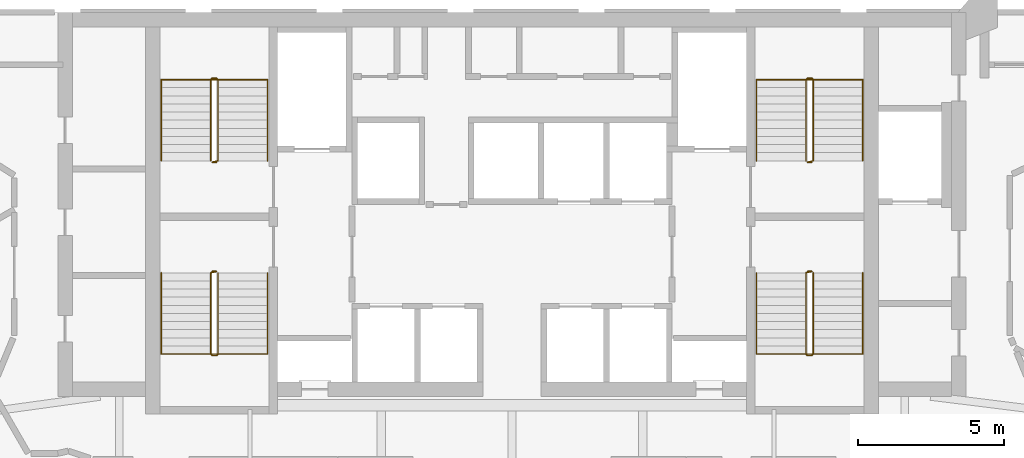
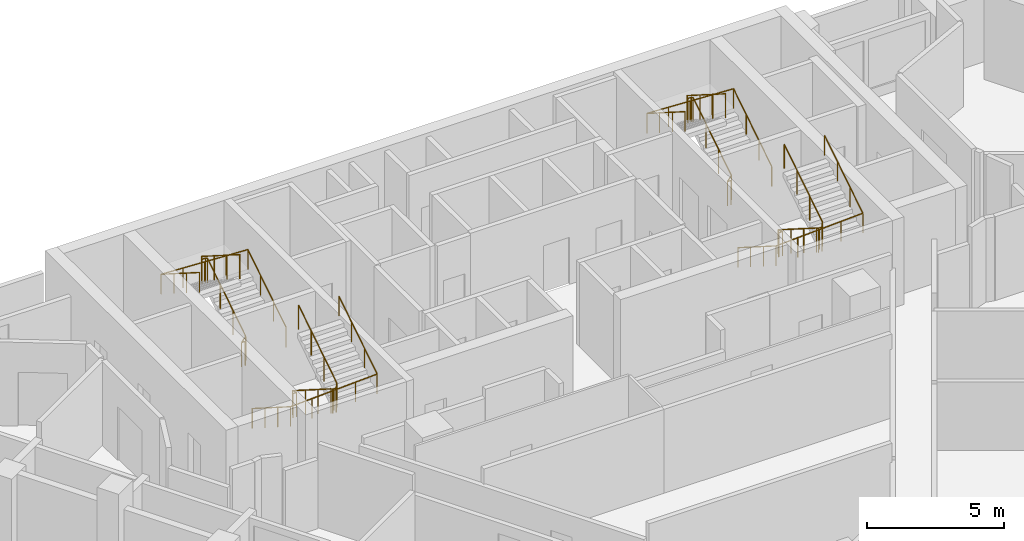
# One storey, part 9 of 9: 8 railings.
"""IFC4 building model written with IfcOpenShell, lengths in metres."""

from ifc_helpers import new_model, si_unit, direction, frame, origin, origin_2d, place, context, subcontext, project, spatial, circle, extrude, material, type_object, element, save


model = new_model("IFC4")

# Units and contexts
model_context = context("Model", 3, precision=1e-05, world=origin(), true_north=direction((0.0, 1.0)))
body_context = subcontext(model_context, "Body", "Model", "MODEL_VIEW")
ifc_project = project(units=[si_unit("LENGTHUNIT", "METRE"), si_unit("AREAUNIT", "SQUARE_METRE"), si_unit("VOLUMEUNIT", "CUBIC_METRE"), si_unit("PLANEANGLEUNIT", "RADIAN"), si_unit("MASSUNIT", "GRAM", prefix="KILO")], contexts=[model_context])

# Site, building, storey
site_placement = place(None, origin())
site = spatial("IfcSite", under=ifc_project, at=site_placement, CompositionType="ELEMENT")
building_placement = place(site_placement, origin())
building = spatial("IfcBuilding", under=site, at=building_placement, Name="Calabash Gate Tower", CompositionType="ELEMENT")
storey_placement = place(building_placement, frame((0.0, 0.0, 171.89990234375)))
storey = spatial("IfcBuildingStorey", under=building, at=storey_placement, Name="L40", CompositionType="ELEMENT", Elevation=171.89990234375)

# Railings
ifc_material_1 = material(Name="Black powder-coated steel balusters", Category="steel")
railing_type_1 = type_object("IfcRailingType", Name="Stair guard RL1100", PredefinedType="GUARDRAIL", material=ifc_material_1)
railing_1_placement = place(storey_placement, frame((-10.14990234375, 13.902587890625, 0.0)))
element("IfcRailing", 1, at=railing_1_placement, inside=storey, type_object=railing_type_1, Name="L40 ST1 stair guard 1", PredefinedType="GUARDRAIL", context=body_context, shape_type="SweptSolid", body=[
    extrude(circle(Radius=0.02392578125, at=origin_2d()), frame((0.0, 0.0, 1.076171875), z_axis=(-1.0, 0.0, 0.0), x_axis=(0.0, -1.0, 0.0)), (0.0, 0.0, 1.0), 0.150146484375),
    extrude(circle(Radius=0.02392578125, at=origin_2d()), frame((-0.150146484375, 0.0, 1.076171875), z_axis=(0.735094037398, 0.183997897029, 0.652519371414), x_axis=(-0.242814311512, 0.970072785993, 0.0)), (0.0, 0.0, 1.0), 0.27197265625),
    extrude(circle(Radius=0.02392578125, at=origin_2d()), frame((0.0498046875, 0.050048828125, 1.25341796875), z_axis=(0.0, 0.844041424197, 0.536277982245), x_axis=(-1.0, 0.0, 0.0)), (0.0, 0.0, 1.0), 3.3056640625),
    extrude(circle(Radius=0.02392578125, at=origin_2d()), frame((0.0498046875, 2.840087890625, 3.0263671875), z_axis=(-0.707106781187, 0.707106781187, 0.0), x_axis=(-0.707106781187, -0.707106781187, 0.0)), (0.0, 0.0, 1.0), 0.0703125),
    extrude(circle(Radius=0.02392578125, at=origin_2d()), frame((0.0, 2.889892578125, 3.0263671875), z_axis=(-1.0, 0.0, 0.0), x_axis=(0.0, -1.0, 0.0)), (0.0, 0.0, 1.0), 0.150146484375),
    extrude(circle(Radius=0.02392578125, at=origin_2d()), frame((-0.150146484375, 2.889892578125, 3.0263671875), z_axis=(-0.262321481514, -0.261041864531, 0.929001929653), x_axis=(0.705375805398, -0.708833529934, 0.0)), (0.0, 0.0, 1.0), 0.190673828125),
    extrude(circle(Radius=0.02392578125, at=origin_2d()), frame((-0.2001953125, 2.840087890625, 3.20361328125), z_axis=(0.0, -0.844041424197, 0.536277982245), x_axis=(1.0, 0.0, 0.0)), (0.0, 0.0, 1.0), 3.3056640625),
    extrude(circle(Radius=0.02099609375, at=origin_2d()), origin(), (0.0, 0.0, 1.0), 1.052001953125),
    extrude(circle(Radius=0.02099609375, at=origin_2d()), frame((-0.150146484375, 0.0, 0.0)), (0.0, 0.0, 1.0), 1.052001953125),
    extrude(circle(Radius=0.02099609375, at=origin_2d()), frame((0.0498046875, 0.050048828125, 0.177490234375)), (0.0, 0.0, 1.0), 1.052001953125),
    extrude(circle(Radius=0.02099609375, at=origin_2d()), frame((0.0498046875, 0.97998046875, 0.768310546875)), (0.0, 0.0, 1.0), 1.052001953125),
    extrude(circle(Radius=0.02099609375, at=origin_2d()), frame((0.0498046875, 1.91015625, 1.359375)), (0.0, 0.0, 1.0), 1.052001953125),
    extrude(circle(Radius=0.02099609375, at=origin_2d()), frame((0.0498046875, 2.840087890625, 1.9501953125)), (0.0, 0.0, 1.0), 1.052001953125),
    extrude(circle(Radius=0.02099609375, at=origin_2d()), frame((0.0, 2.889892578125, 1.9501953125)), (0.0, 0.0, 1.0), 1.052001953125),
    extrude(circle(Radius=0.02099609375, at=origin_2d()), frame((-0.150146484375, 2.889892578125, 1.9501953125)), (0.0, 0.0, 1.0), 1.052001953125),
    extrude(circle(Radius=0.02099609375, at=origin_2d()), frame((-0.2001953125, 2.840087890625, 2.12744140625)), (0.0, 0.0, 1.0), 1.052001953125),
    extrude(circle(Radius=0.02099609375, at=origin_2d()), frame((-0.2001953125, 1.91015625, 2.71826171875)), (0.0, 0.0, 1.0), 1.052001953125),
    extrude(circle(Radius=0.02099609375, at=origin_2d()), frame((-0.2001953125, 0.97998046875, 3.309326171875)), (0.0, 0.0, 1.0), 1.052001953125),
    extrude(circle(Radius=0.02099609375, at=origin_2d()), frame((-0.2001953125, 0.050048828125, 3.900146484375)), (0.0, 0.0, 1.0), 1.052001953125),
])
railing_2_placement = place(storey_placement, frame((-10.300048828125, 10.152587890625, 0.0)))
element("IfcRailing", 2, at=railing_2_placement, inside=storey, type_object=railing_type_1, Name="L40 ST2 stair guard 1", PredefinedType="GUARDRAIL", context=body_context, shape_type="SweptSolid", body=[
    extrude(circle(Radius=0.02392578125, at=origin_2d()), frame((0.0, 0.0, 1.076171875), z_axis=(1.0, 0.0, 0.0), x_axis=(0.0, 1.0, 0.0)), (0.0, 0.0, 1.0), 0.150146484375),
    extrude(circle(Radius=0.02392578125, at=origin_2d()), frame((0.150146484375, 0.0, 1.076171875), z_axis=(-0.735506176693, -0.183876544173, 0.652089012751), x_axis=(0.242535625036, -0.970142500145, 0.0)), (0.0, 0.0, 1.0), 0.272216796875),
    extrude(circle(Radius=0.02392578125, at=origin_2d()), frame((-0.050048828125, -0.050048828125, 1.25341796875), z_axis=(0.0, -0.844041424197, 0.536277982245), x_axis=(1.0, 0.0, 0.0)), (0.0, 0.0, 1.0), 3.3056640625),
    extrude(circle(Radius=0.02392578125, at=origin_2d()), frame((-0.050048828125, -2.840087890625, 3.0263671875), z_axis=(0.708833529934, -0.705375805398, 0.0), x_axis=(0.705375805398, 0.708833529934, 0.0)), (0.0, 0.0, 1.0), 0.070556640625),
    extrude(circle(Radius=0.02392578125, at=origin_2d()), frame((0.0, -2.889892578125, 3.0263671875), z_axis=(1.0, 0.0, 0.0), x_axis=(0.0, 1.0, 0.0)), (0.0, 0.0, 1.0), 0.150146484375),
    extrude(circle(Radius=0.02392578125, at=origin_2d()), frame((0.150146484375, -2.889892578125, 3.0263671875), z_axis=(0.261129318932, 0.261129318932, 0.929313164433), x_axis=(-0.707106781187, 0.707106781187, 0.0)), (0.0, 0.0, 1.0), 0.190673828125),
    extrude(circle(Radius=0.02392578125, at=origin_2d()), frame((0.199951171875, -2.840087890625, 3.20361328125), z_axis=(0.0, 0.844041424197, 0.536277982245), x_axis=(-1.0, 0.0, 0.0)), (0.0, 0.0, 1.0), 3.3056640625),
    extrude(circle(Radius=0.02099609375, at=origin_2d()), origin(), (0.0, 0.0, 1.0), 1.052001953125),
    extrude(circle(Radius=0.02099609375, at=origin_2d()), frame((0.150146484375, 0.0, 0.0)), (0.0, 0.0, 1.0), 1.052001953125),
    extrude(circle(Radius=0.02099609375, at=origin_2d()), frame((-0.050048828125, -0.050048828125, 0.177490234375)), (0.0, 0.0, 1.0), 1.052001953125),
    extrude(circle(Radius=0.02099609375, at=origin_2d()), frame((-0.050048828125, -0.97998046875, 0.768310546875)), (0.0, 0.0, 1.0), 1.052001953125),
    extrude(circle(Radius=0.02099609375, at=origin_2d()), frame((-0.050048828125, -1.91015625, 1.359375)), (0.0, 0.0, 1.0), 1.052001953125),
    extrude(circle(Radius=0.02099609375, at=origin_2d()), frame((-0.050048828125, -2.840087890625, 1.9501953125)), (0.0, 0.0, 1.0), 1.052001953125),
    extrude(circle(Radius=0.02099609375, at=origin_2d()), frame((0.0, -2.889892578125, 1.9501953125)), (0.0, 0.0, 1.0), 1.052001953125),
    extrude(circle(Radius=0.02099609375, at=origin_2d()), frame((0.150146484375, -2.889892578125, 1.9501953125)), (0.0, 0.0, 1.0), 1.052001953125),
    extrude(circle(Radius=0.02099609375, at=origin_2d()), frame((0.199951171875, -2.840087890625, 2.12744140625)), (0.0, 0.0, 1.0), 1.052001953125),
    extrude(circle(Radius=0.02099609375, at=origin_2d()), frame((0.199951171875, -1.91015625, 2.71826171875)), (0.0, 0.0, 1.0), 1.052001953125),
    extrude(circle(Radius=0.02099609375, at=origin_2d()), frame((0.199951171875, -0.97998046875, 3.309326171875)), (0.0, 0.0, 1.0), 1.052001953125),
    extrude(circle(Radius=0.02099609375, at=origin_2d()), frame((0.199951171875, -0.050048828125, 3.900146484375)), (0.0, 0.0, 1.0), 1.052001953125),
])
railing_3_placement = place(storey_placement, frame((10.300048828125, 13.902587890625, 0.0)))
element("IfcRailing", 3, at=railing_3_placement, inside=storey, type_object=railing_type_1, Name="L40 ST3 stair guard 1", PredefinedType="GUARDRAIL", context=body_context, shape_type="SweptSolid", body=[
    extrude(circle(Radius=0.02392578125, at=origin_2d()), frame((0.0, 0.0, 1.076171875), z_axis=(-1.0, 0.0, 0.0), x_axis=(0.0, -1.0, 0.0)), (0.0, 0.0, 1.0), 0.150146484375),
    extrude(circle(Radius=0.02392578125, at=origin_2d()), frame((-0.150146484375, 0.0, 1.076171875), z_axis=(0.735506176693, 0.183876544173, 0.652089012751), x_axis=(-0.242535625036, 0.970142500145, 0.0)), (0.0, 0.0, 1.0), 0.272216796875),
    extrude(circle(Radius=0.02392578125, at=origin_2d()), frame((0.050048828125, 0.050048828125, 1.25341796875), z_axis=(0.0, 0.844041424197, 0.536277982245), x_axis=(-1.0, 0.0, 0.0)), (0.0, 0.0, 1.0), 3.3056640625),
    extrude(circle(Radius=0.02392578125, at=origin_2d()), frame((0.050048828125, 2.840087890625, 3.0263671875), z_axis=(-0.708833529934, 0.705375805398, 0.0), x_axis=(-0.705375805398, -0.708833529934, 0.0)), (0.0, 0.0, 1.0), 0.070556640625),
    extrude(circle(Radius=0.02392578125, at=origin_2d()), frame((0.0, 2.889892578125, 3.0263671875), z_axis=(-1.0, 0.0, 0.0), x_axis=(0.0, -1.0, 0.0)), (0.0, 0.0, 1.0), 0.150146484375),
    extrude(circle(Radius=0.02392578125, at=origin_2d()), frame((-0.150146484375, 2.889892578125, 3.0263671875), z_axis=(-0.261129318932, -0.261129318932, 0.929313164433), x_axis=(0.707106781187, -0.707106781187, 0.0)), (0.0, 0.0, 1.0), 0.190673828125),
    extrude(circle(Radius=0.02392578125, at=origin_2d()), frame((-0.199951171875, 2.840087890625, 3.20361328125), z_axis=(0.0, -0.844041424197, 0.536277982245), x_axis=(1.0, 0.0, 0.0)), (0.0, 0.0, 1.0), 3.3056640625),
    extrude(circle(Radius=0.02099609375, at=origin_2d()), origin(), (0.0, 0.0, 1.0), 1.052001953125),
    extrude(circle(Radius=0.02099609375, at=origin_2d()), frame((-0.150146484375, 0.0, 0.0)), (0.0, 0.0, 1.0), 1.052001953125),
    extrude(circle(Radius=0.02099609375, at=origin_2d()), frame((0.050048828125, 0.050048828125, 0.177490234375)), (0.0, 0.0, 1.0), 1.052001953125),
    extrude(circle(Radius=0.02099609375, at=origin_2d()), frame((0.050048828125, 0.97998046875, 0.768310546875)), (0.0, 0.0, 1.0), 1.052001953125),
    extrude(circle(Radius=0.02099609375, at=origin_2d()), frame((0.050048828125, 1.91015625, 1.359375)), (0.0, 0.0, 1.0), 1.052001953125),
    extrude(circle(Radius=0.02099609375, at=origin_2d()), frame((0.050048828125, 2.840087890625, 1.9501953125)), (0.0, 0.0, 1.0), 1.052001953125),
    extrude(circle(Radius=0.02099609375, at=origin_2d()), frame((0.0, 2.889892578125, 1.9501953125)), (0.0, 0.0, 1.0), 1.052001953125),
    extrude(circle(Radius=0.02099609375, at=origin_2d()), frame((-0.150146484375, 2.889892578125, 1.9501953125)), (0.0, 0.0, 1.0), 1.052001953125),
    extrude(circle(Radius=0.02099609375, at=origin_2d()), frame((-0.199951171875, 2.840087890625, 2.12744140625)), (0.0, 0.0, 1.0), 1.052001953125),
    extrude(circle(Radius=0.02099609375, at=origin_2d()), frame((-0.199951171875, 1.91015625, 2.71826171875)), (0.0, 0.0, 1.0), 1.052001953125),
    extrude(circle(Radius=0.02099609375, at=origin_2d()), frame((-0.199951171875, 0.97998046875, 3.309326171875)), (0.0, 0.0, 1.0), 1.052001953125),
    extrude(circle(Radius=0.02099609375, at=origin_2d()), frame((-0.199951171875, 0.050048828125, 3.900146484375)), (0.0, 0.0, 1.0), 1.052001953125),
])
railing_4_placement = place(storey_placement, frame((10.14990234375, 10.152587890625, 0.0)))
element("IfcRailing", 4, at=railing_4_placement, inside=storey, type_object=railing_type_1, Name="L40 ST4 stair guard 1", PredefinedType="GUARDRAIL", context=body_context, shape_type="SweptSolid", body=[
    extrude(circle(Radius=0.02392578125, at=origin_2d()), frame((0.0, 0.0, 1.076171875), z_axis=(1.0, 0.0, 0.0), x_axis=(0.0, 1.0, 0.0)), (0.0, 0.0, 1.0), 0.150146484375),
    extrude(circle(Radius=0.02392578125, at=origin_2d()), frame((0.150146484375, 0.0, 1.076171875), z_axis=(-0.735094037398, -0.183997897029, 0.652519371414), x_axis=(0.242814311512, -0.970072785993, 0.0)), (0.0, 0.0, 1.0), 0.27197265625),
    extrude(circle(Radius=0.02392578125, at=origin_2d()), frame((-0.0498046875, -0.050048828125, 1.25341796875), z_axis=(0.0, -0.844041424197, 0.536277982245), x_axis=(1.0, 0.0, 0.0)), (0.0, 0.0, 1.0), 3.3056640625),
    extrude(circle(Radius=0.02392578125, at=origin_2d()), frame((-0.0498046875, -2.840087890625, 3.0263671875), z_axis=(0.707106781187, -0.707106781187, 0.0), x_axis=(0.707106781187, 0.707106781187, 0.0)), (0.0, 0.0, 1.0), 0.0703125),
    extrude(circle(Radius=0.02392578125, at=origin_2d()), frame((0.0, -2.889892578125, 3.0263671875), z_axis=(1.0, 0.0, 0.0), x_axis=(0.0, 1.0, 0.0)), (0.0, 0.0, 1.0), 0.150146484375),
    extrude(circle(Radius=0.02392578125, at=origin_2d()), frame((0.150146484375, -2.889892578125, 3.0263671875), z_axis=(0.262321481514, 0.261041864531, 0.929001929653), x_axis=(-0.705375805398, 0.708833529934, 0.0)), (0.0, 0.0, 1.0), 0.190673828125),
    extrude(circle(Radius=0.02392578125, at=origin_2d()), frame((0.2001953125, -2.840087890625, 3.20361328125), z_axis=(0.0, 0.844041424197, 0.536277982245), x_axis=(-1.0, 0.0, 0.0)), (0.0, 0.0, 1.0), 3.3056640625),
    extrude(circle(Radius=0.02099609375, at=origin_2d()), origin(), (0.0, 0.0, 1.0), 1.052001953125),
    extrude(circle(Radius=0.02099609375, at=origin_2d()), frame((0.150146484375, 0.0, 0.0)), (0.0, 0.0, 1.0), 1.052001953125),
    extrude(circle(Radius=0.02099609375, at=origin_2d()), frame((-0.0498046875, -0.050048828125, 0.177490234375)), (0.0, 0.0, 1.0), 1.052001953125),
    extrude(circle(Radius=0.02099609375, at=origin_2d()), frame((-0.0498046875, -0.97998046875, 0.768310546875)), (0.0, 0.0, 1.0), 1.052001953125),
    extrude(circle(Radius=0.02099609375, at=origin_2d()), frame((-0.0498046875, -1.91015625, 1.359375)), (0.0, 0.0, 1.0), 1.052001953125),
    extrude(circle(Radius=0.02099609375, at=origin_2d()), frame((-0.0498046875, -2.840087890625, 1.9501953125)), (0.0, 0.0, 1.0), 1.052001953125),
    extrude(circle(Radius=0.02099609375, at=origin_2d()), frame((0.0, -2.889892578125, 1.9501953125)), (0.0, 0.0, 1.0), 1.052001953125),
    extrude(circle(Radius=0.02099609375, at=origin_2d()), frame((0.150146484375, -2.889892578125, 1.9501953125)), (0.0, 0.0, 1.0), 1.052001953125),
    extrude(circle(Radius=0.02099609375, at=origin_2d()), frame((0.2001953125, -2.840087890625, 2.12744140625)), (0.0, 0.0, 1.0), 1.052001953125),
    extrude(circle(Radius=0.02099609375, at=origin_2d()), frame((0.2001953125, -1.91015625, 2.71826171875)), (0.0, 0.0, 1.0), 1.052001953125),
    extrude(circle(Radius=0.02099609375, at=origin_2d()), frame((0.2001953125, -0.97998046875, 3.309326171875)), (0.0, 0.0, 1.0), 1.052001953125),
    extrude(circle(Radius=0.02099609375, at=origin_2d()), frame((0.2001953125, -0.050048828125, 3.900146484375)), (0.0, 0.0, 1.0), 1.052001953125),
])
ifc_material_2 = material(Name="Black powder-coated steel tube 48 mm", Category="steel")
railing_type_2 = type_object("IfcRailingType", Name="Stair handrail RL900", PredefinedType="HANDRAIL", material=ifc_material_2)
railing_5_placement = place(storey_placement, frame((-8.39990234375, 13.95263671875, 0.177490234375)))
element("IfcRailing", 5, at=railing_5_placement, inside=storey, type_object=railing_type_2, Name="L40 ST1 stair handrail 1", PredefinedType="HANDRAIL", context=body_context, shape_type="SweptSolid", body=[
    extrude(circle(Radius=0.02392578125, at=origin_2d()), frame((0.0, 0.0, 0.8759765625), z_axis=(0.0, 0.844041424197, 0.536277982245), x_axis=(-1.0, 0.0, 0.0)), (0.0, 0.0, 1.0), 3.3056640625),
    extrude(circle(Radius=0.02392578125, at=origin_2d()), frame((0.0, 2.7900390625, 2.6484375), z_axis=(-0.998823110844, 0.0, 0.048501476722), x_axis=(0.0, -1.0, 0.0)), (0.0, 0.0, 1.0), 3.654541015625),
    extrude(circle(Radius=0.02392578125, at=origin_2d()), frame((-3.650146484375, 2.7900390625, 2.82568359375), z_axis=(0.0, -0.844041424197, 0.536277982245), x_axis=(1.0, 0.0, 0.0)), (0.0, 0.0, 1.0), 3.3056640625),
    extrude(circle(Radius=0.02099609375, at=origin_2d()), origin(), (0.0, 0.0, 1.0), 0.851806640625),
    extrude(circle(Radius=0.02099609375, at=origin_2d()), frame((0.0, 0.929931640625, 0.5908203125)), (0.0, 0.0, 1.0), 0.851806640625),
    extrude(circle(Radius=0.02099609375, at=origin_2d()), frame((0.0, 1.860107421875, 1.181884765625)), (0.0, 0.0, 1.0), 0.851806640625),
    extrude(circle(Radius=0.02099609375, at=origin_2d()), frame((0.0, 2.7900390625, 1.772705078125)), (0.0, 0.0, 1.0), 0.851806640625),
    extrude(circle(Radius=0.02099609375, at=origin_2d()), frame((-0.91259765625, 2.7900390625, 1.81689453125)), (0.0, 0.0, 1.0), 0.851806640625),
    extrude(circle(Radius=0.02099609375, at=origin_2d()), frame((-1.8251953125, 2.7900390625, 1.861328125)), (0.0, 0.0, 1.0), 0.851806640625),
    extrude(circle(Radius=0.02099609375, at=origin_2d()), frame((-2.737548828125, 2.7900390625, 1.90576171875)), (0.0, 0.0, 1.0), 0.851806640625),
    extrude(circle(Radius=0.02099609375, at=origin_2d()), frame((-3.650146484375, 2.7900390625, 1.949951171875)), (0.0, 0.0, 1.0), 0.851806640625),
    extrude(circle(Radius=0.02099609375, at=origin_2d()), frame((-3.650146484375, 1.860107421875, 2.540771484375)), (0.0, 0.0, 1.0), 0.851806640625),
    extrude(circle(Radius=0.02099609375, at=origin_2d()), frame((-3.650146484375, 0.929931640625, 3.1318359375)), (0.0, 0.0, 1.0), 0.851806640625),
    extrude(circle(Radius=0.02099609375, at=origin_2d()), frame((-3.650146484375, 0.0, 3.72265625)), (0.0, 0.0, 1.0), 0.851806640625),
])
railing_6_placement = place(storey_placement, frame((-12.050048828125, 10.1025390625, 0.177490234375)))
element("IfcRailing", 6, at=railing_6_placement, inside=storey, type_object=railing_type_2, Name="L40 ST2 stair handrail 1", PredefinedType="HANDRAIL", context=body_context, shape_type="SweptSolid", body=[
    extrude(circle(Radius=0.02392578125, at=origin_2d()), frame((0.0, 0.0, 0.8759765625), z_axis=(0.0, -0.844041424197, 0.536277982245), x_axis=(1.0, 0.0, 0.0)), (0.0, 0.0, 1.0), 3.3056640625),
    extrude(circle(Radius=0.02392578125, at=origin_2d()), frame((0.0, -2.7900390625, 2.6484375), z_axis=(0.998823110844, 0.0, 0.048501476722), x_axis=(0.0, 1.0, 0.0)), (0.0, 0.0, 1.0), 3.654541015625),
    extrude(circle(Radius=0.02392578125, at=origin_2d()), frame((3.650146484375, -2.7900390625, 2.82568359375), z_axis=(0.0, 0.844041424197, 0.536277982245), x_axis=(-1.0, 0.0, 0.0)), (0.0, 0.0, 1.0), 3.3056640625),
    extrude(circle(Radius=0.02099609375, at=origin_2d()), origin(), (0.0, 0.0, 1.0), 0.851806640625),
    extrude(circle(Radius=0.02099609375, at=origin_2d()), frame((0.0, -0.929931640625, 0.5908203125)), (0.0, 0.0, 1.0), 0.851806640625),
    extrude(circle(Radius=0.02099609375, at=origin_2d()), frame((0.0, -1.860107421875, 1.181884765625)), (0.0, 0.0, 1.0), 0.851806640625),
    extrude(circle(Radius=0.02099609375, at=origin_2d()), frame((0.0, -2.7900390625, 1.772705078125)), (0.0, 0.0, 1.0), 0.851806640625),
    extrude(circle(Radius=0.02099609375, at=origin_2d()), frame((0.91259765625, -2.7900390625, 1.81689453125)), (0.0, 0.0, 1.0), 0.851806640625),
    extrude(circle(Radius=0.02099609375, at=origin_2d()), frame((1.8251953125, -2.7900390625, 1.861328125)), (0.0, 0.0, 1.0), 0.851806640625),
    extrude(circle(Radius=0.02099609375, at=origin_2d()), frame((2.737548828125, -2.7900390625, 1.90576171875)), (0.0, 0.0, 1.0), 0.851806640625),
    extrude(circle(Radius=0.02099609375, at=origin_2d()), frame((3.650146484375, -2.7900390625, 1.949951171875)), (0.0, 0.0, 1.0), 0.851806640625),
    extrude(circle(Radius=0.02099609375, at=origin_2d()), frame((3.650146484375, -1.860107421875, 2.540771484375)), (0.0, 0.0, 1.0), 0.851806640625),
    extrude(circle(Radius=0.02099609375, at=origin_2d()), frame((3.650146484375, -0.929931640625, 3.1318359375)), (0.0, 0.0, 1.0), 0.851806640625),
    extrude(circle(Radius=0.02099609375, at=origin_2d()), frame((3.650146484375, 0.0, 3.72265625)), (0.0, 0.0, 1.0), 0.851806640625),
])
railing_7_placement = place(storey_placement, frame((12.050048828125, 13.95263671875, 0.177490234375)))
element("IfcRailing", 7, at=railing_7_placement, inside=storey, type_object=railing_type_2, Name="L40 ST3 stair handrail 1", PredefinedType="HANDRAIL", context=body_context, shape_type="SweptSolid", body=[
    extrude(circle(Radius=0.02392578125, at=origin_2d()), frame((0.0, 0.0, 0.8759765625), z_axis=(0.0, 0.844041424197, 0.536277982245), x_axis=(-1.0, 0.0, 0.0)), (0.0, 0.0, 1.0), 3.3056640625),
    extrude(circle(Radius=0.02392578125, at=origin_2d()), frame((0.0, 2.7900390625, 2.6484375), z_axis=(-0.998823110844, 0.0, 0.048501476722), x_axis=(0.0, -1.0, 0.0)), (0.0, 0.0, 1.0), 3.654541015625),
    extrude(circle(Radius=0.02392578125, at=origin_2d()), frame((-3.650146484375, 2.7900390625, 2.82568359375), z_axis=(0.0, -0.844041424197, 0.536277982245), x_axis=(1.0, 0.0, 0.0)), (0.0, 0.0, 1.0), 3.3056640625),
    extrude(circle(Radius=0.02099609375, at=origin_2d()), origin(), (0.0, 0.0, 1.0), 0.851806640625),
    extrude(circle(Radius=0.02099609375, at=origin_2d()), frame((0.0, 0.929931640625, 0.5908203125)), (0.0, 0.0, 1.0), 0.851806640625),
    extrude(circle(Radius=0.02099609375, at=origin_2d()), frame((0.0, 1.860107421875, 1.181884765625)), (0.0, 0.0, 1.0), 0.851806640625),
    extrude(circle(Radius=0.02099609375, at=origin_2d()), frame((0.0, 2.7900390625, 1.772705078125)), (0.0, 0.0, 1.0), 0.851806640625),
    extrude(circle(Radius=0.02099609375, at=origin_2d()), frame((-0.91259765625, 2.7900390625, 1.81689453125)), (0.0, 0.0, 1.0), 0.851806640625),
    extrude(circle(Radius=0.02099609375, at=origin_2d()), frame((-1.8251953125, 2.7900390625, 1.861328125)), (0.0, 0.0, 1.0), 0.851806640625),
    extrude(circle(Radius=0.02099609375, at=origin_2d()), frame((-2.737548828125, 2.7900390625, 1.90576171875)), (0.0, 0.0, 1.0), 0.851806640625),
    extrude(circle(Radius=0.02099609375, at=origin_2d()), frame((-3.650146484375, 2.7900390625, 1.949951171875)), (0.0, 0.0, 1.0), 0.851806640625),
    extrude(circle(Radius=0.02099609375, at=origin_2d()), frame((-3.650146484375, 1.860107421875, 2.540771484375)), (0.0, 0.0, 1.0), 0.851806640625),
    extrude(circle(Radius=0.02099609375, at=origin_2d()), frame((-3.650146484375, 0.929931640625, 3.1318359375)), (0.0, 0.0, 1.0), 0.851806640625),
    extrude(circle(Radius=0.02099609375, at=origin_2d()), frame((-3.650146484375, 0.0, 3.72265625)), (0.0, 0.0, 1.0), 0.851806640625),
])
railing_8_placement = place(storey_placement, frame((8.39990234375, 10.1025390625, 0.177490234375)))
element("IfcRailing", 8, at=railing_8_placement, inside=storey, type_object=railing_type_2, Name="L40 ST4 stair handrail 1", PredefinedType="HANDRAIL", context=body_context, shape_type="SweptSolid", body=[
    extrude(circle(Radius=0.02392578125, at=origin_2d()), frame((0.0, 0.0, 0.8759765625), z_axis=(0.0, -0.844041424197, 0.536277982245), x_axis=(1.0, 0.0, 0.0)), (0.0, 0.0, 1.0), 3.3056640625),
    extrude(circle(Radius=0.02392578125, at=origin_2d()), frame((0.0, -2.7900390625, 2.6484375), z_axis=(0.998823110844, 0.0, 0.048501476722), x_axis=(0.0, 1.0, 0.0)), (0.0, 0.0, 1.0), 3.654541015625),
    extrude(circle(Radius=0.02392578125, at=origin_2d()), frame((3.650146484375, -2.7900390625, 2.82568359375), z_axis=(0.0, 0.844041424197, 0.536277982245), x_axis=(-1.0, 0.0, 0.0)), (0.0, 0.0, 1.0), 3.3056640625),
    extrude(circle(Radius=0.02099609375, at=origin_2d()), origin(), (0.0, 0.0, 1.0), 0.851806640625),
    extrude(circle(Radius=0.02099609375, at=origin_2d()), frame((0.0, -0.929931640625, 0.5908203125)), (0.0, 0.0, 1.0), 0.851806640625),
    extrude(circle(Radius=0.02099609375, at=origin_2d()), frame((0.0, -1.860107421875, 1.181884765625)), (0.0, 0.0, 1.0), 0.851806640625),
    extrude(circle(Radius=0.02099609375, at=origin_2d()), frame((0.0, -2.7900390625, 1.772705078125)), (0.0, 0.0, 1.0), 0.851806640625),
    extrude(circle(Radius=0.02099609375, at=origin_2d()), frame((0.91259765625, -2.7900390625, 1.81689453125)), (0.0, 0.0, 1.0), 0.851806640625),
    extrude(circle(Radius=0.02099609375, at=origin_2d()), frame((1.8251953125, -2.7900390625, 1.861328125)), (0.0, 0.0, 1.0), 0.851806640625),
    extrude(circle(Radius=0.02099609375, at=origin_2d()), frame((2.737548828125, -2.7900390625, 1.90576171875)), (0.0, 0.0, 1.0), 0.851806640625),
    extrude(circle(Radius=0.02099609375, at=origin_2d()), frame((3.650146484375, -2.7900390625, 1.949951171875)), (0.0, 0.0, 1.0), 0.851806640625),
    extrude(circle(Radius=0.02099609375, at=origin_2d()), frame((3.650146484375, -1.860107421875, 2.540771484375)), (0.0, 0.0, 1.0), 0.851806640625),
    extrude(circle(Radius=0.02099609375, at=origin_2d()), frame((3.650146484375, -0.929931640625, 3.1318359375)), (0.0, 0.0, 1.0), 0.851806640625),
    extrude(circle(Radius=0.02099609375, at=origin_2d()), frame((3.650146484375, 0.0, 3.72265625)), (0.0, 0.0, 1.0), 0.851806640625),
])

save(model, "model.ifc")
